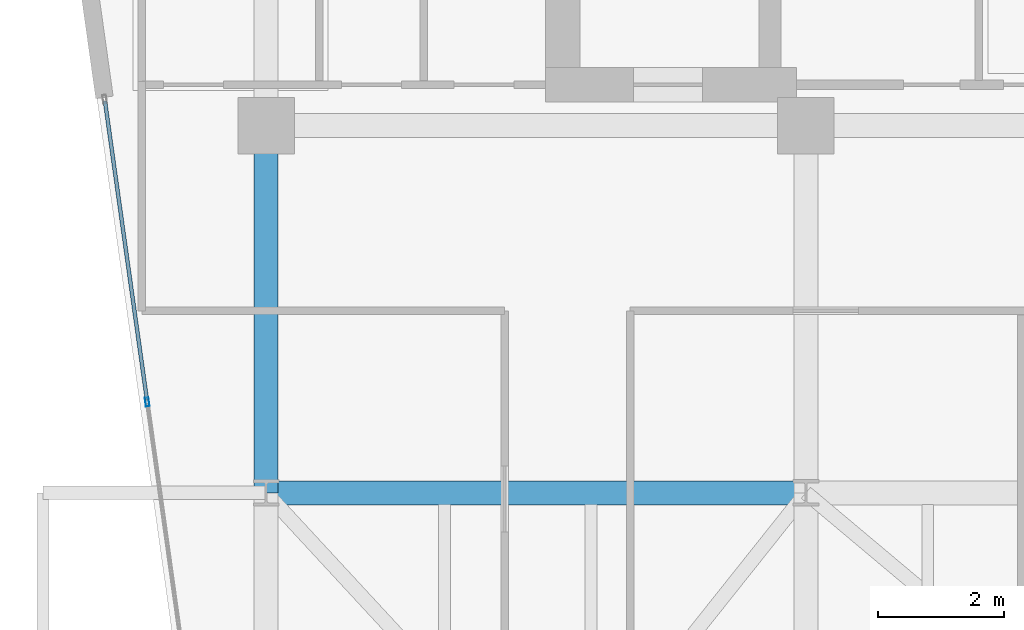
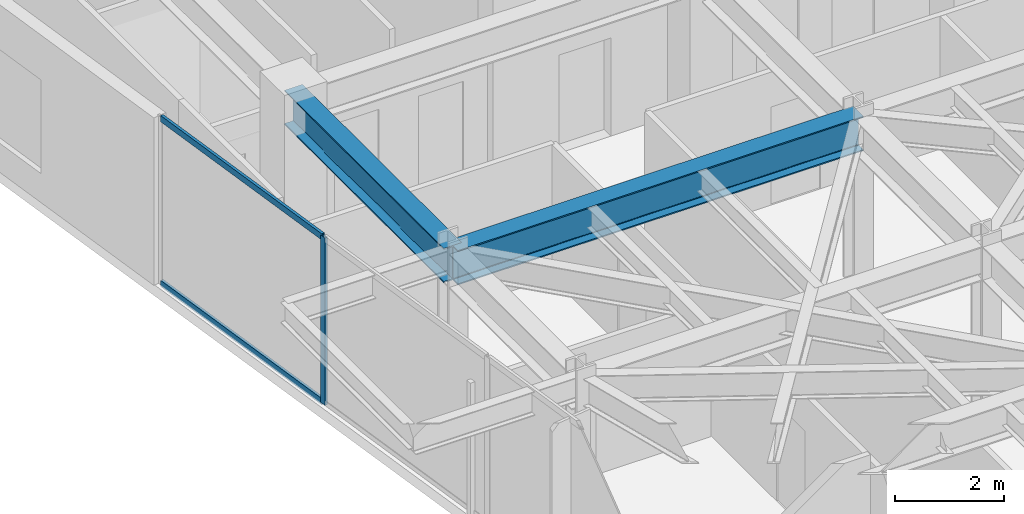
# One storey, part 10 of 27: 3 members, 2 beams, 1 element without a shape of its own.
"""IFC4 building model written with IfcOpenShell, lengths in metres."""

from ifc_helpers import new_model, si_unit, direction, frame, origin, origin_2d, place, context, subcontext, project, spatial, hollow_rectangle, i_section, extrude, material, layer, layer_set, material_profile, profile_set, type_object, element, aggregate, save


model = new_model("IFC4")

# Units and contexts
model_context = context("Model", 3, precision=1e-05, world=origin(), true_north=direction((0.0, 1.0)))
body_context = subcontext(model_context, "Body", "Model", "MODEL_VIEW")
ifc_project = project(units=[si_unit("LENGTHUNIT", "METRE"), si_unit("AREAUNIT", "SQUARE_METRE"), si_unit("VOLUMEUNIT", "CUBIC_METRE"), si_unit("PLANEANGLEUNIT", "RADIAN"), si_unit("MASSUNIT", "GRAM", prefix="KILO")], contexts=[model_context])

# Site, building, storey
site_placement = place(None, origin())
site = spatial("IfcSite", under=ifc_project, at=site_placement, CompositionType="ELEMENT")
building_placement = place(site_placement, origin())
building = spatial("IfcBuilding", under=site, at=building_placement, Name="Kravanh Interchange Tower", CompositionType="ELEMENT")
storey_placement = place(building_placement, frame((0.0, 0.0, 188.5)))
storey = spatial("IfcBuildingStorey", under=building, at=storey_placement, Name="L45", CompositionType="ELEMENT", Elevation=188.5)

# Curtain wall, members
ifc_material_1 = material(Name="Anodised Bronze Aluminium", Category="aluminium")
ifc_layer = layer(ifc_material_1, 0.179931640625)
ifc_layer_set = layer_set([ifc_layer], Name="Unitised Curtain Wall System CW-Z3 Upper Office")
curtain_wall_type = type_object("IfcCurtainWallType", Name="Unitised Curtain Wall System CW-Z3 Upper Office", PredefinedType="NOTDEFINED", material=ifc_layer_set)
curtain_wall_placement = place(storey_placement, origin())
curtain_wall = element("IfcCurtainWall", 1, at=curtain_wall_placement, inside=storey, type_object=curtain_wall_type, Name="L45 Unitised Curtain Wall CW-L45-01", PredefinedType="NOTDEFINED")
ifc_material_2 = material(Name="Anodised Bronze Aluminium", Category="aluminium")
ifc_material_profile_1 = material_profile(ifc_material_2, hollow_rectangle(XDim=0.06005859375, YDim=0.139892578125, WallThickness=0.00390625, at=origin_2d()), Name="ALU60X140X4")
ifc_profile_set_1 = profile_set([ifc_material_profile_1], Name="Anodised Bronze Aluminium")
member_type_1 = type_object("IfcMemberType", Name="Curtain Wall Mullion ALU60X140X4 Bronze", PredefinedType="MULLION", material=ifc_profile_set_1)
member_1_placement = place(storey_placement, frame((16.706787109375, 32.9482421875, 0.0), z_axis=(0.0, 0.0, 1.0), x_axis=(-0.990268194035, -0.139172209446, 0.0)))
member_1 = element("IfcMember", 2, at=member_1_placement, type_object=member_type_1, Name="CW-Z3 mullion 5", PredefinedType="MULLION", context=body_context, shape_type="SweptSolid", body=[
    extrude(hollow_rectangle(XDim=0.06005859375, YDim=0.139892578125, WallThickness=0.00390625, at=origin_2d()), origin(), (0.0, 0.0, 1.0), 3.7548828125),
])
ifc_material_3 = material(Name="Anodised Bronze Aluminium", Category="aluminium")
ifc_material_profile_2 = material_profile(ifc_material_3, hollow_rectangle(XDim=0.06005859375, YDim=0.139892578125, WallThickness=0.00390625, at=origin_2d()), Name="ALU60X140X4")
ifc_profile_set_2 = profile_set([ifc_material_profile_2], Name="Anodised Bronze Aluminium")
member_type_2 = type_object("IfcMemberType", Name="Curtain Wall Transom ALU60X140X4 Bronze", PredefinedType="USERDEFINED", material=ifc_profile_set_2)
member_2_placement = place(storey_placement, frame((16.70263671875, 32.977783203125, 0.030029296875), z_axis=(-0.139139718803, 0.990272759724, 0.0), x_axis=(-0.990272759724, -0.139139718803, 0.0)))
member_2 = element("IfcMember", 3, at=member_2_placement, type_object=member_type_2, Name="CW-Z3 transom 5.1", ObjectType="TRANSOM", PredefinedType="USERDEFINED", context=body_context, shape_type="SweptSolid", body=[
    extrude(hollow_rectangle(XDim=0.06005859375, YDim=0.139892578125, WallThickness=0.00390625, at=origin_2d()), origin(), (0.0, 0.0, 1.0), 4.8095703125),
])
member_3_placement = place(storey_placement, frame((16.70263671875, 32.977783203125, 3.72509765625), z_axis=(-0.139139718803, 0.990272759724, 0.0), x_axis=(-0.990272759724, -0.139139718803, 0.0)))
member_3 = element("IfcMember", 4, at=member_3_placement, type_object=member_type_2, Name="CW-Z3 transom 5.2", ObjectType="TRANSOM", PredefinedType="USERDEFINED", context=body_context, shape_type="SweptSolid", body=[
    extrude(hollow_rectangle(XDim=0.06005859375, YDim=0.139892578125, WallThickness=0.00390625, at=origin_2d()), origin(), (0.0, 0.0, 1.0), 4.8095703125),
])
aggregate(curtain_wall, [member_1, member_2, member_3])

# Beams
ifc_material_4 = material(Name="Structural Steel S355", Category="steel")
ifc_material_profile_3 = material_profile(ifc_material_4, i_section(OverallWidth=0.381103515625, OverallDepth=0.77294921875, WebThickness=0.0166015625, FlangeThickness=0.027099609375, FilletRadius=0.02490234375, at=origin_2d()), Name="W30X173")
ifc_profile_set_3 = profile_set([ifc_material_profile_3], Name="Structural Steel S355")
beam_type = type_object("IfcBeamType", Name="Floor Beam W30X173 Structural Steel S355", PredefinedType="BEAM", material=ifc_profile_set_3)
beam_1_placement = place(storey_placement, frame((18.60009765625, 37.35009765625, 3.368408203125), z_axis=(0.0, -1.0, 0.0), x_axis=(1.0, 0.0, 0.0)))
element("IfcBeam", 5, at=beam_1_placement, inside=storey, type_object=beam_type, Name="L45 Primary Floor Girder 28", PredefinedType="BEAM", context=body_context, shape_type="SweptSolid", body=[
    extrude(i_section(OverallWidth=0.381103515625, OverallDepth=0.77294921875, WebThickness=0.0166015625, FlangeThickness=0.027099609375, FilletRadius=0.02490234375, at=origin_2d()), origin(), (0.0, 0.0, 1.0), 5.85009765625),
])
beam_2_placement = place(storey_placement, frame((18.60009765625, 31.5, 3.368408203125), z_axis=(1.0, 0.0, 0.0), x_axis=(0.0, 1.0, 0.0)))
element("IfcBeam", 6, at=beam_2_placement, inside=storey, type_object=beam_type, Name="L45 Primary Floor Girder 61", PredefinedType="BEAM", context=body_context, shape_type="SweptSolid", body=[
    extrude(i_section(OverallWidth=0.381103515625, OverallDepth=0.77294921875, WebThickness=0.0166015625, FlangeThickness=0.027099609375, FilletRadius=0.02490234375, at=origin_2d()), origin(), (0.0, 0.0, 1.0), 8.599853515625),
])

save(model, "model.ifc")
